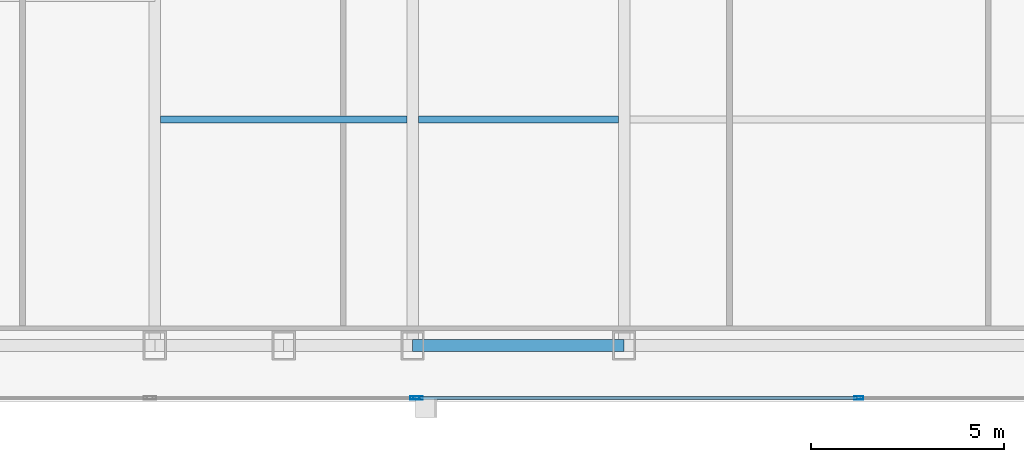
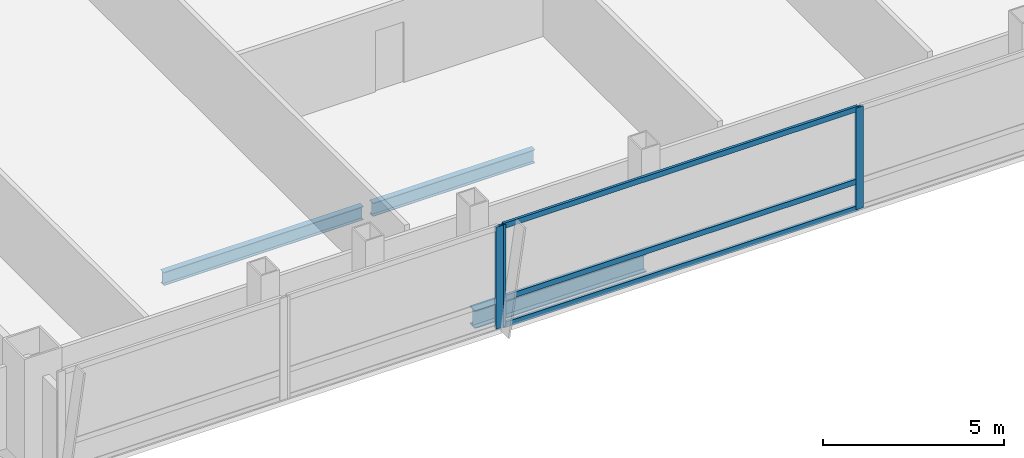
# One storey, part 8 of 30: 6 members, 3 beams, 2 elements without a shape of their own.
"""IFC4 building model written with IfcOpenShell, lengths in metres."""

from ifc_helpers import new_model, si_unit, direction, frame, origin, origin_2d, place, context, subcontext, project, spatial, hollow_rectangle, i_section, extrude, material, material_profile, profile_set, type_object, element, aggregate, save


model = new_model("IFC4")

# Units and contexts
model_context = context("Model", 3, precision=1e-05, world=origin(), true_north=direction((0.0, 1.0)))
body_context = subcontext(model_context, "Body", "Model", "MODEL_VIEW")
ifc_project = project(units=[si_unit("LENGTHUNIT", "METRE"), si_unit("AREAUNIT", "SQUARE_METRE"), si_unit("VOLUMEUNIT", "CUBIC_METRE"), si_unit("PLANEANGLEUNIT", "RADIAN"), si_unit("MASSUNIT", "GRAM", prefix="KILO")], contexts=[model_context])

# Site, building, storey
site_placement = place(None, origin())
site = spatial("IfcSite", under=ifc_project, at=site_placement, CompositionType="ELEMENT")
building_placement = place(site_placement, origin())
building = spatial("IfcBuilding", under=site, at=building_placement, Name="Khoronbel Lancet Exchange", CompositionType="ELEMENT")
storey_placement = place(building_placement, frame((0.0, 0.0, 224.60009765625)))
storey = spatial("IfcBuildingStorey", under=building, at=storey_placement, Name="L57", CompositionType="ELEMENT", Elevation=224.60009765625)

# Beams
ifc_material_1 = material(Name="Steel S355", Category="steel")
ifc_material_profile_1 = material_profile(ifc_material_1, i_section(OverallWidth=0.18994140625, OverallDepth=0.449951171875, WebThickness=0.009521484375, FlangeThickness=0.0146484375, at=origin_2d()), Name="IPE 450")
ifc_profile_set_1 = profile_set([ifc_material_profile_1], Name="Steel S355")
beam_type_1 = type_object("IfcBeamType", Name="BM-BJ4", PredefinedType="JOIST", material=ifc_profile_set_1)
beam_1_placement = place(storey_placement, frame((18.375, 16.0, -0.385009765625), z_axis=(1.0, 0.0, 0.0), x_axis=(0.0, 1.0, 0.0)))
element("IfcBeam", 1, at=beam_1_placement, inside=storey, type_object=beam_type_1, Name="Level L57 secondary composite joist J01", PredefinedType="JOIST", context=body_context, shape_type="SweptSolid", body=[
    extrude(i_section(OverallWidth=0.18994140625, OverallDepth=0.449951171875, WebThickness=0.009521484375, FlangeThickness=0.0146484375, at=origin_2d()), origin(), (0.0, 0.0, 1.0), 6.375),
])
beam_2_placement = place(storey_placement, frame((25.050048828125, 16.0, -0.385009765625), z_axis=(1.0, 0.0, 0.0), x_axis=(0.0, 1.0, 0.0)))
element("IfcBeam", 2, at=beam_2_placement, inside=storey, type_object=beam_type_1, Name="Level L57 secondary composite joist J02", PredefinedType="JOIST", context=body_context, shape_type="SweptSolid", body=[
    extrude(i_section(OverallWidth=0.18994140625, OverallDepth=0.449951171875, WebThickness=0.009521484375, FlangeThickness=0.0146484375, at=origin_2d()), origin(), (0.0, 0.0, 1.0), 5.175048828125),
])
ifc_material_profile_2 = material_profile(ifc_material_1, i_section(OverallWidth=0.300048828125, OverallDepth=0.60009765625, WebThickness=0.015380859375, FlangeThickness=0.030029296875, at=origin_2d()), Name="HEB 600")
ifc_profile_set_2 = profile_set([ifc_material_profile_2], Name="Steel S355")
beam_type_2 = type_object("IfcBeamType", Name="BM-BSP2", PredefinedType="SPANDREL", material=ifc_profile_set_2)
beam_3_placement = place(storey_placement, frame((24.89990234375, 10.14990234375, -0.460205078125), z_axis=(1.0, 0.0, 0.0), x_axis=(0.0, 1.0, 0.0)))
element("IfcBeam", 3, at=beam_3_placement, inside=storey, type_object=beam_type_2, Name="Level L57 perimeter spandrel beam SP04", PredefinedType="SPANDREL", context=body_context, shape_type="SweptSolid", body=[
    extrude(i_section(OverallWidth=0.300048828125, OverallDepth=0.60009765625, WebThickness=0.015380859375, FlangeThickness=0.030029296875, at=origin_2d()), origin(), (0.0, 0.0, 1.0), 5.47509765625),
])

# Curtain wall, member
ifc_material_2 = material(Name="Low-E Solar Control Insulating Glass", Category="glass")
curtain_wall_type = type_object("IfcCurtainWallType", Name="CW-3", PredefinedType="NOTDEFINED", material=ifc_material_2)
curtain_wall_1_placement = place(storey_placement, origin())
curtain_wall_1 = element("IfcCurtainWall", 4, at=curtain_wall_1_placement, inside=storey, type_object=curtain_wall_type, Name="Unitised curtain wall CW-L57-SWB", PredefinedType="NOTDEFINED")
ifc_material_3 = material(Name="Bronze-Anodised Aluminium 6063-T6", Category="aluminium")
ifc_material_profile_3 = material_profile(ifc_material_3, hollow_rectangle(XDim=0.0849609375, YDim=0.239990234375, WallThickness=0.006103515625, at=origin_2d()), Name="ALU MULLION 85x240")
ifc_profile_set_3 = profile_set([ifc_material_profile_3], Name="Bronze-Anodised Aluminium 6063-T6")
member_type_1 = type_object("IfcMemberType", Name="MEM-CWM1", PredefinedType="MULLION", material=ifc_profile_set_3)
member_1_placement = place(storey_placement, frame((24.95751953125, 8.7900390625, 0.0), z_axis=(0.0, 0.0, 1.0), x_axis=(0.0, 1.0, 0.0)))
member_1 = element("IfcMember", 5, at=member_1_placement, type_object=member_type_1, Name="CW3 mullion 2", PredefinedType="MULLION", context=body_context, shape_type="SweptSolid", body=[
    extrude(hollow_rectangle(XDim=0.0849609375, YDim=0.239990234375, WallThickness=0.006103515625, at=origin_2d()), origin(), (0.0, 0.0, 1.0), 3.43994140625),
])
aggregate(curtain_wall_1, [member_1])

# Curtain wall, members
curtain_wall_2_placement = place(storey_placement, origin())
curtain_wall_2 = element("IfcCurtainWall", 6, at=curtain_wall_2_placement, inside=storey, type_object=curtain_wall_type, Name="Unitised curtain wall CW-L57-SCV", PredefinedType="NOTDEFINED")
member_2_placement = place(storey_placement, frame((25.04248046875, 8.7900390625, 0.0), z_axis=(0.0, 0.0, 1.0), x_axis=(0.0, 1.0, 0.0)))
member_2 = element("IfcMember", 7, at=member_2_placement, type_object=member_type_1, Name="CW3 mullion 1", PredefinedType="MULLION", context=body_context, shape_type="SweptSolid", body=[
    extrude(hollow_rectangle(XDim=0.0849609375, YDim=0.239990234375, WallThickness=0.006103515625, at=origin_2d()), origin(), (0.0, 0.0, 1.0), 3.43994140625),
])
member_3_placement = place(storey_placement, frame((36.449951171875, 8.7900390625, 0.0), z_axis=(0.0, 0.0, 1.0), x_axis=(0.0, 1.0, 0.0)))
member_3 = element("IfcMember", 8, at=member_3_placement, type_object=member_type_1, Name="CW3 mullion 2", PredefinedType="MULLION", context=body_context, shape_type="SweptSolid", body=[
    extrude(hollow_rectangle(XDim=0.0849609375, YDim=0.239990234375, WallThickness=0.006103515625, at=origin_2d()), origin(), (0.0, 0.0, 1.0), 3.43994140625),
])
ifc_material_profile_4 = material_profile(ifc_material_3, hollow_rectangle(XDim=0.0849609375, YDim=0.179931640625, WallThickness=0.0048828125, at=origin_2d()), Name="ALU TRANSOM 85x180")
ifc_profile_set_4 = profile_set([ifc_material_profile_4], Name="Bronze-Anodised Aluminium 6063-T6")
member_type_2 = type_object("IfcMemberType", Name="MEM-CWT1", PredefinedType="USERDEFINED", material=ifc_profile_set_4)
member_4_placement = place(storey_placement, frame((25.0849609375, 8.7900390625, 0.04248046875), z_axis=(1.0, 0.0, 0.0), x_axis=(0.0, 1.0, 0.0)))
member_4 = element("IfcMember", 9, at=member_4_placement, type_object=member_type_2, Name="CW3 transom 1.1", ObjectType="TRANSOM", PredefinedType="USERDEFINED", context=body_context, shape_type="SweptSolid", body=[
    extrude(hollow_rectangle(XDim=0.0849609375, YDim=0.179931640625, WallThickness=0.0048828125, at=origin_2d()), origin(), (0.0, 0.0, 1.0), 11.322509765625),
])
member_5_placement = place(storey_placement, frame((25.0849609375, 8.7900390625, 0.949951171875), z_axis=(1.0, 0.0, 0.0), x_axis=(0.0, 1.0, 0.0)))
member_5 = element("IfcMember", 10, at=member_5_placement, type_object=member_type_2, Name="CW3 transom 1.2", ObjectType="TRANSOM", PredefinedType="USERDEFINED", context=body_context, shape_type="SweptSolid", body=[
    extrude(hollow_rectangle(XDim=0.0849609375, YDim=0.179931640625, WallThickness=0.0048828125, at=origin_2d()), origin(), (0.0, 0.0, 1.0), 11.322509765625),
])
member_6_placement = place(storey_placement, frame((25.0849609375, 8.7900390625, 3.3974609375), z_axis=(1.0, 0.0, 0.0), x_axis=(0.0, 1.0, 0.0)))
member_6 = element("IfcMember", 11, at=member_6_placement, type_object=member_type_2, Name="CW3 transom 1.3", ObjectType="TRANSOM", PredefinedType="USERDEFINED", context=body_context, shape_type="SweptSolid", body=[
    extrude(hollow_rectangle(XDim=0.0849609375, YDim=0.179931640625, WallThickness=0.0048828125, at=origin_2d()), origin(), (0.0, 0.0, 1.0), 11.322509765625),
])
aggregate(curtain_wall_2, [member_2, member_3, member_4, member_5, member_6])

save(model, "model.ifc")
